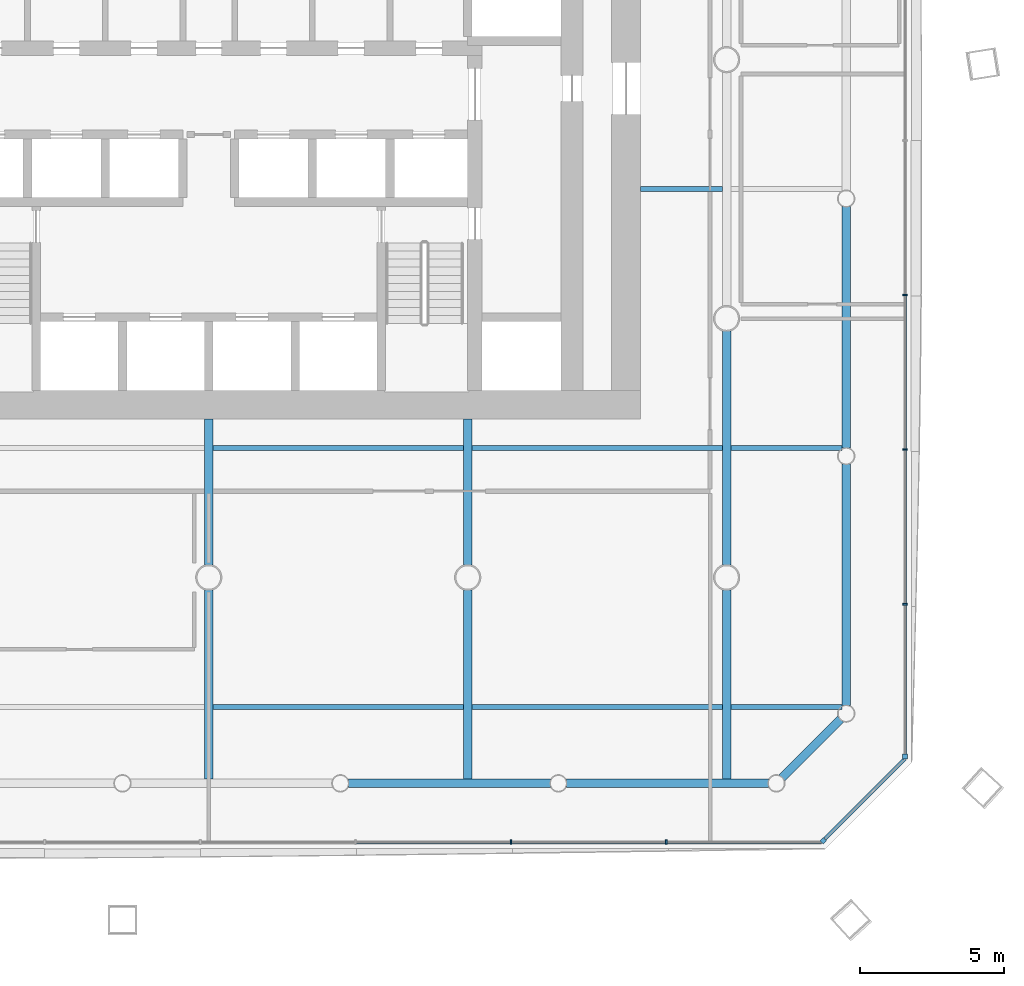
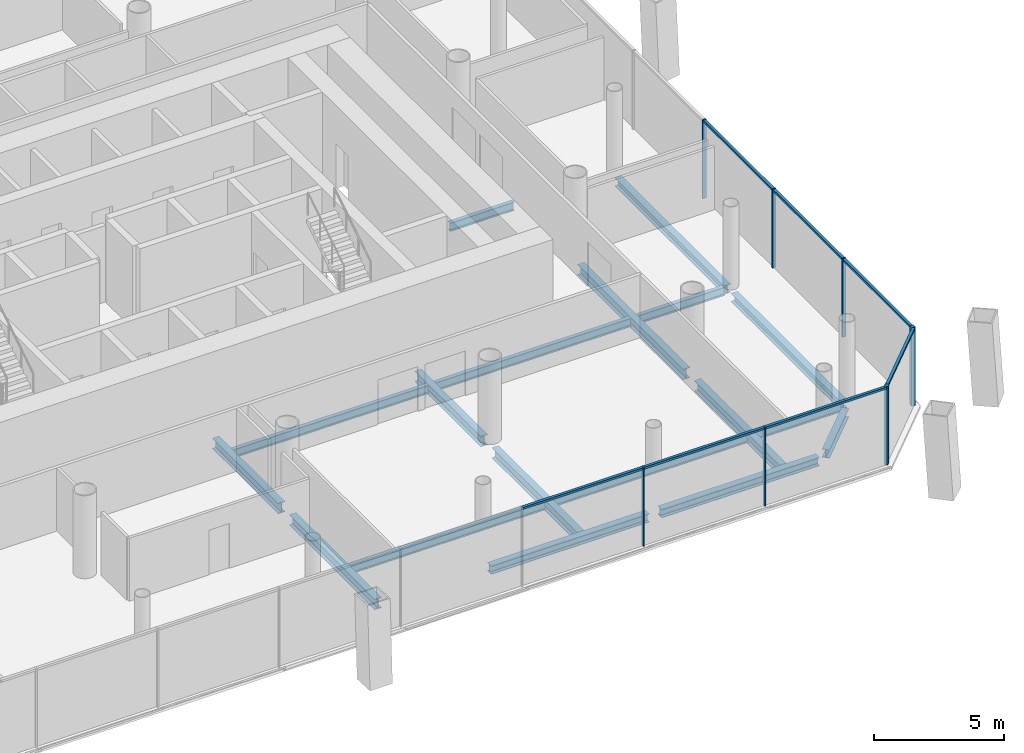
# One storey, part 6 of 22: 18 beams, 14 members, 3 elements without a shape of their own.
"""IFC4 building model written with IfcOpenShell, lengths in metres."""

from ifc_helpers import new_model, si_unit, direction, frame, origin, origin_2d, place, context, subcontext, project, spatial, rectangle, i_section, extrude, material, material_profile, profile_set, type_object, element, aggregate, save


model = new_model("IFC4")

# Units and contexts
model_context = context("Model", 3, precision=1e-05, world=origin(), true_north=direction((0.0, 1.0)))
body_context = subcontext(model_context, "Body", "Model", "MODEL_VIEW")
ifc_project = project(units=[si_unit("LENGTHUNIT", "METRE"), si_unit("AREAUNIT", "SQUARE_METRE"), si_unit("VOLUMEUNIT", "CUBIC_METRE"), si_unit("PLANEANGLEUNIT", "RADIAN"), si_unit("MASSUNIT", "GRAM", prefix="KILO")], contexts=[model_context])

# Site, building, storey
site_placement = place(None, origin())
site = spatial("IfcSite", under=ifc_project, at=site_placement, CompositionType="ELEMENT")
building_placement = place(site_placement, origin())
building = spatial("IfcBuilding", under=site, at=building_placement, Name="Tskaro Facet Tower", CompositionType="ELEMENT")
storey_placement = place(building_placement, frame((0.0, 0.0, 30.300048828125)))
storey = spatial("IfcBuildingStorey", under=building, at=storey_placement, Name="L06", CompositionType="ELEMENT", Elevation=30.300048828125)

# Curtain wall, member
ifc_material_1 = material(Name="Bronze anodised aluminium 6063-T6", Category="aluminium")
curtain_wall_type = type_object("IfcCurtainWallType", Name="Bronze office curtain wall (FW1)", PredefinedType="NOTDEFINED", material=ifc_material_1)
curtain_wall_1_placement = place(storey_placement, origin())
curtain_wall_1 = element("IfcCurtainWall", 1, at=curtain_wall_1_placement, inside=storey, type_object=curtain_wall_type, Name="FW1 south-east facet L06", PredefinedType="NOTDEFINED")
ifc_material_profile_1 = material_profile(ifc_material_1, rectangle(XDim=0.159912109375, YDim=0.159912109375, at=origin_2d()), Name="Corner post 160x160")
ifc_profile_set_1 = profile_set([ifc_material_profile_1], Name="Bronze anodised aluminium 6063-T6")
member_type_1 = type_object("IfcMemberType", Name="FW1 bronze corner post 160x160", PredefinedType="MULLION", material=ifc_profile_set_1)
member_1_placement = place(storey_placement, frame((21.361572265625, -27.1455078125, 0.0), z_axis=(0.0, 0.0, 1.0), x_axis=(0.707106781187, 0.707106781187, 0.0)))
member_1 = element("IfcMember", 2, at=member_1_placement, type_object=member_type_1, Name="FW1 south-east corner post", PredefinedType="MULLION", context=body_context, shape_type="SweptSolid", body=[
    extrude(rectangle(XDim=0.159912109375, YDim=0.159912109375, at=origin_2d()), origin(), (0.0, 0.0, 1.0), 3.699951171875),
])

curtain_wall_2_placement = place(storey_placement, origin())
curtain_wall_2 = element("IfcCurtainWall", 3, at=curtain_wall_2_placement, inside=storey, type_object=curtain_wall_type, Name="FW1 east facet L06", PredefinedType="NOTDEFINED")
member_2_placement = place(storey_placement, frame((24.201904296875, -24.22509765625, 0.0), z_axis=(0.0, 0.0, 1.0), x_axis=(0.0, 1.0, 0.0)))
member_2 = element("IfcMember", 4, at=member_2_placement, type_object=member_type_1, Name="FW1 east corner post", PredefinedType="MULLION", context=body_context, shape_type="SweptSolid", body=[
    extrude(rectangle(XDim=0.159912109375, YDim=0.159912109375, at=origin_2d()), origin(), (0.0, 0.0, 1.0), 3.699951171875),
])

# Curtain wall, members
curtain_wall_3_placement = place(storey_placement, origin())
curtain_wall_3 = element("IfcCurtainWall", 5, at=curtain_wall_3_placement, inside=storey, type_object=curtain_wall_type, Name="FW1 south facet L06", PredefinedType="NOTDEFINED")
ifc_material_profile_2 = material_profile(ifc_material_1, rectangle(XDim=0.06005859375, YDim=0.159912109375, at=origin_2d()), Name="Mullion 60x160")
ifc_profile_set_2 = profile_set([ifc_material_profile_2], Name="Bronze anodised aluminium 6063-T6")
member_type_2 = type_object("IfcMemberType", Name="FW1 bronze mullion 60x160", PredefinedType="MULLION", material=ifc_profile_set_2)
member_3_placement = place(storey_placement, frame((10.502685546875, -27.201904296875, 0.0), z_axis=(0.0, 0.0, 1.0), x_axis=(1.0, 0.0, 0.0)))
member_3 = element("IfcMember", 6, at=member_3_placement, type_object=member_type_2, Name="FW1 south mullion 7", PredefinedType="MULLION", context=body_context, shape_type="SweptSolid", body=[
    extrude(rectangle(XDim=0.06005859375, YDim=0.159912109375, at=origin_2d()), origin(), (0.0, 0.0, 1.0), 3.699951171875),
])
member_4_placement = place(storey_placement, frame((15.90380859375, -27.201904296875, 0.0), z_axis=(0.0, 0.0, 1.0), x_axis=(1.0, 0.0, 0.0)))
member_4 = element("IfcMember", 7, at=member_4_placement, type_object=member_type_2, Name="FW1 south mullion 8", PredefinedType="MULLION", context=body_context, shape_type="SweptSolid", body=[
    extrude(rectangle(XDim=0.06005859375, YDim=0.159912109375, at=origin_2d()), origin(), (0.0, 0.0, 1.0), 3.699951171875),
])

# Member
member_5_placement = place(storey_placement, frame((24.201904296875, -18.930419921875, 0.0), z_axis=(0.0, 0.0, 1.0), x_axis=(0.0, 1.0, 0.0)))
member_5 = element("IfcMember", 8, at=member_5_placement, type_object=member_type_2, Name="FW1 east mullion 1", PredefinedType="MULLION", context=body_context, shape_type="SweptSolid", body=[
    extrude(rectangle(XDim=0.06005859375, YDim=0.159912109375, at=origin_2d()), origin(), (0.0, 0.0, 1.0), 3.699951171875),
])

member_6_placement = place(storey_placement, frame((24.201904296875, -13.555908203125, 0.0), z_axis=(0.0, 0.0, 1.0), x_axis=(0.0, 1.0, 0.0)))
member_6 = element("IfcMember", 9, at=member_6_placement, type_object=member_type_2, Name="FW1 east mullion 2", PredefinedType="MULLION", context=body_context, shape_type="SweptSolid", body=[
    extrude(rectangle(XDim=0.06005859375, YDim=0.159912109375, at=origin_2d()), origin(), (0.0, 0.0, 1.0), 3.699951171875),
])

member_7_placement = place(storey_placement, frame((24.201904296875, -8.181396484375, 0.0), z_axis=(0.0, 0.0, 1.0), x_axis=(0.0, 1.0, 0.0)))
member_7 = element("IfcMember", 10, at=member_7_placement, type_object=member_type_2, Name="FW1 east mullion 3", PredefinedType="MULLION", context=body_context, shape_type="SweptSolid", body=[
    extrude(rectangle(XDim=0.06005859375, YDim=0.159912109375, at=origin_2d()), origin(), (0.0, 0.0, 1.0), 3.699951171875),
])

ifc_material_profile_3 = material_profile(ifc_material_1, rectangle(XDim=0.1201171875, YDim=0.10009765625, at=origin_2d()), Name="Transom 120x100")
ifc_profile_set_3 = profile_set([ifc_material_profile_3], Name="Bronze anodised aluminium 6063-T6")
member_type_3 = type_object("IfcMemberType", Name="FW1 bronze transom 120x100", PredefinedType="USERDEFINED", material=ifc_profile_set_3)
member_8_placement = place(storey_placement, frame((5.131591796875, -27.201904296875, 3.64990234375), z_axis=(1.0, 0.0, 0.0), x_axis=(0.0, 1.0, 0.0)))
member_8 = element("IfcMember", 11, at=member_8_placement, type_object=member_type_3, Name="FW1 south transom 7.1", ObjectType="TRANSOM", PredefinedType="USERDEFINED", context=body_context, shape_type="SweptSolid", body=[
    extrude(rectangle(XDim=0.1201171875, YDim=0.10009765625, at=origin_2d()), origin(), (0.0, 0.0, 1.0), 5.341064453125),
])

member_9_placement = place(storey_placement, frame((10.53271484375, -27.201904296875, 3.64990234375), z_axis=(1.0, 0.0, 0.0), x_axis=(0.0, 1.0, 0.0)))
member_9 = element("IfcMember", 12, at=member_9_placement, type_object=member_type_3, Name="FW1 south transom 8.1", ObjectType="TRANSOM", PredefinedType="USERDEFINED", context=body_context, shape_type="SweptSolid", body=[
    extrude(rectangle(XDim=0.1201171875, YDim=0.10009765625, at=origin_2d()), origin(), (0.0, 0.0, 1.0), 5.341064453125),
])

member_10_placement = place(storey_placement, frame((15.933837890625, -27.201904296875, 3.64990234375), z_axis=(1.0, 0.0, 0.0), x_axis=(0.0, 1.0, 0.0)))
member_10 = element("IfcMember", 13, at=member_10_placement, type_object=member_type_3, Name="FW1 south transom 9.1", ObjectType="TRANSOM", PredefinedType="USERDEFINED", context=body_context, shape_type="SweptSolid", body=[
    extrude(rectangle(XDim=0.1201171875, YDim=0.10009765625, at=origin_2d()), origin(), (0.0, 0.0, 1.0), 5.37109375),
])

aggregate(curtain_wall_3, [member_3, member_4, member_8, member_9, member_10])

member_11_placement = place(storey_placement, frame((21.418212890625, -27.0888671875, 3.64990234375), z_axis=(0.707075773851, 0.707137787162, 0.0), x_axis=(-0.707137787162, 0.707075773851, 0.0)))
member_11 = element("IfcMember", 14, at=member_11_placement, type_object=member_type_3, Name="FW1 south-east transom 1.1", ObjectType="TRANSOM", PredefinedType="USERDEFINED", context=body_context, shape_type="SweptSolid", body=[
    extrude(rectangle(XDim=0.1201171875, YDim=0.10009765625, at=origin_2d()), origin(), (0.0, 0.0, 1.0), 3.93701171875),
])

aggregate(curtain_wall_1, [member_1, member_11])

member_12_placement = place(storey_placement, frame((24.201904296875, -24.14501953125, 3.64990234375), z_axis=(0.0, 1.0, 0.0), x_axis=(-1.0, 0.0, 0.0)))
member_12 = element("IfcMember", 15, at=member_12_placement, type_object=member_type_3, Name="FW1 east transom 1.1", ObjectType="TRANSOM", PredefinedType="USERDEFINED", context=body_context, shape_type="SweptSolid", body=[
    extrude(rectangle(XDim=0.1201171875, YDim=0.10009765625, at=origin_2d()), origin(), (0.0, 0.0, 1.0), 5.1845703125),
])

member_13_placement = place(storey_placement, frame((24.201904296875, -18.900390625, 3.64990234375), z_axis=(0.0, 1.0, 0.0), x_axis=(-1.0, 0.0, 0.0)))
member_13 = element("IfcMember", 16, at=member_13_placement, type_object=member_type_3, Name="FW1 east transom 2.1", ObjectType="TRANSOM", PredefinedType="USERDEFINED", context=body_context, shape_type="SweptSolid", body=[
    extrude(rectangle(XDim=0.1201171875, YDim=0.10009765625, at=origin_2d()), origin(), (0.0, 0.0, 1.0), 5.314453125),
])

member_14_placement = place(storey_placement, frame((24.201904296875, -13.52587890625, 3.64990234375), z_axis=(0.0, 1.0, 0.0), x_axis=(-1.0, 0.0, 0.0)))
member_14 = element("IfcMember", 17, at=member_14_placement, type_object=member_type_3, Name="FW1 east transom 3.1", ObjectType="TRANSOM", PredefinedType="USERDEFINED", context=body_context, shape_type="SweptSolid", body=[
    extrude(rectangle(XDim=0.1201171875, YDim=0.10009765625, at=origin_2d()), origin(), (0.0, 0.0, 1.0), 5.314453125),
])

aggregate(curtain_wall_2, [member_2, member_5, member_6, member_7, member_12, member_13, member_14])

# Beams
ifc_material_2 = material(Name="Steel S355J2", Category="steel")
ifc_material_profile_4 = material_profile(ifc_material_2, i_section(OverallWidth=0.300048828125, OverallDepth=0.39990234375, WebThickness=0.013427734375, FlangeThickness=0.02392578125, FilletRadius=0.027099609375, at=origin_2d()), Name="HE 400 B")
ifc_profile_set_4 = profile_set([ifc_material_profile_4], Name="Steel S355J2")
beam_type_1 = type_object("IfcBeamType", Name="HE 400 B ring beam", PredefinedType="BEAM", material=ifc_profile_set_4)
beam_1_placement = place(storey_placement, frame((4.85107421875, -25.156982421875, -0.340087890625), z_axis=(1.0, 0.0, 0.0), x_axis=(0.0, 1.0, 0.0)))
element("IfcBeam", 18, at=beam_1_placement, inside=storey, type_object=beam_type_1, Name="HE 400 B EB5-1", PredefinedType="BEAM", context=body_context, shape_type="SweptSolid", body=[
    extrude(i_section(OverallWidth=0.300048828125, OverallDepth=0.39990234375, WebThickness=0.013427734375, FlangeThickness=0.02392578125, FilletRadius=0.027099609375, at=origin_2d()), origin(), (0.0, 0.0, 1.0), 7.02685546875),
])
beam_2_placement = place(storey_placement, frame((12.427978515625, -25.156982421875, -0.340087890625), z_axis=(1.0, 0.0, 0.0), x_axis=(0.0, 1.0, 0.0)))
element("IfcBeam", 19, at=beam_2_placement, inside=storey, type_object=beam_type_1, Name="HE 400 B EB6-1", PredefinedType="BEAM", context=body_context, shape_type="SweptSolid", body=[
    extrude(i_section(OverallWidth=0.300048828125, OverallDepth=0.39990234375, WebThickness=0.013427734375, FlangeThickness=0.02392578125, FilletRadius=0.027099609375, at=origin_2d()), origin(), (0.0, 0.0, 1.0), 7.026123046875),
])
beam_3_placement = place(storey_placement, frame((19.92333984375, -24.962646484375, -0.340087890625), z_axis=(0.707106781187, 0.707106781187, 0.0), x_axis=(-0.707106781187, 0.707106781187, 0.0)))
element("IfcBeam", 20, at=beam_3_placement, inside=storey, type_object=beam_type_1, Name="HE 400 B EB7-1", PredefinedType="BEAM", context=body_context, shape_type="SweptSolid", body=[
    extrude(i_section(OverallWidth=0.300048828125, OverallDepth=0.39990234375, WebThickness=0.013427734375, FlangeThickness=0.02392578125, FilletRadius=0.027099609375, at=origin_2d()), origin(), (0.0, 0.0, 1.0), 2.884033203125),
])
for number, where, z_axis, x_axis, name in (
    (21, (22.156982421875, -22.4541015625, -0.340087890625), (0.0, 1.0, 0.0), (-1.0, 0.0, 0.0), "HE 400 B EB8-1"),
    (22, (22.156982421875, -13.506103515625, -0.340087890625), (0.0, 1.0, 0.0), (-1.0, 0.0, 0.0), "HE 400 B EB9-1"),
):
    element("IfcBeam", number, at=place(storey_placement, frame(where, z_axis=z_axis, x_axis=x_axis)), inside=storey, type_object=beam_type_1, Name=name, PredefinedType="BEAM", context=body_context, shape_type="SweptSolid", body=[
        extrude(i_section(OverallWidth=0.300048828125, OverallDepth=0.39990234375, WebThickness=0.013427734375, FlangeThickness=0.02392578125, FilletRadius=0.027099609375, at=origin_2d()), origin(), (0.0, 0.0, 1.0), 8.398193359375),
    ])
ifc_material_profile_5 = material_profile(ifc_material_2, i_section(OverallWidth=0.300048828125, OverallDepth=0.489990234375, WebThickness=0.011962890625, FlangeThickness=0.02294921875, FilletRadius=0.027099609375, at=origin_2d()), Name="HE 500 A")
ifc_profile_set_5 = profile_set([ifc_material_profile_5], Name="Steel S355J2")
beam_type_2 = type_object("IfcBeamType", Name="HE 500 A girder", PredefinedType="BEAM", material=ifc_profile_set_5)
beam_4_placement = place(storey_placement, frame((0.0, -25.007080078125, -0.385009765625), z_axis=(0.0, 1.0, 0.0), x_axis=(-1.0, 0.0, 0.0)))
element("IfcBeam", 23, at=beam_4_placement, inside=storey, type_object=beam_type_2, Name="HE 500 A GB4-1-1", PredefinedType="BEAM", context=body_context, shape_type="SweptSolid", body=[
    extrude(i_section(OverallWidth=0.300048828125, OverallDepth=0.489990234375, WebThickness=0.011962890625, FlangeThickness=0.02294921875, FilletRadius=0.027099609375, at=origin_2d()), origin(), (0.0, 0.0, 1.0), 6.579833984375),
])
beam_5_placement = place(storey_placement, frame((0.0, -17.57275390625, -0.385009765625), z_axis=(0.0, 1.0, 0.0), x_axis=(-1.0, 0.0, 0.0)))
element("IfcBeam", 24, at=beam_5_placement, inside=storey, type_object=beam_type_2, Name="HE 500 A GB4-2-1", PredefinedType="BEAM", context=body_context, shape_type="SweptSolid", body=[
    extrude(i_section(OverallWidth=0.300048828125, OverallDepth=0.489990234375, WebThickness=0.011962890625, FlangeThickness=0.02294921875, FilletRadius=0.027099609375, at=origin_2d()), origin(), (0.0, 0.0, 1.0), 5.07275390625),
])
beam_6_placement = place(storey_placement, frame((9.0, -25.007080078125, -0.385009765625), z_axis=(0.0, 1.0, 0.0), x_axis=(-1.0, 0.0, 0.0)))
element("IfcBeam", 25, at=beam_6_placement, inside=storey, type_object=beam_type_2, Name="HE 500 A GB5-1-1", PredefinedType="BEAM", context=body_context, shape_type="SweptSolid", body=[
    extrude(i_section(OverallWidth=0.300048828125, OverallDepth=0.489990234375, WebThickness=0.011962890625, FlangeThickness=0.02294921875, FilletRadius=0.027099609375, at=origin_2d()), origin(), (0.0, 0.0, 1.0), 6.579833984375),
])
beam_7_placement = place(storey_placement, frame((9.0, -17.57275390625, -0.385009765625), z_axis=(0.0, 1.0, 0.0), x_axis=(-1.0, 0.0, 0.0)))
element("IfcBeam", 26, at=beam_7_placement, inside=storey, type_object=beam_type_2, Name="HE 500 A GB5-2-1", PredefinedType="BEAM", context=body_context, shape_type="SweptSolid", body=[
    extrude(i_section(OverallWidth=0.300048828125, OverallDepth=0.489990234375, WebThickness=0.011962890625, FlangeThickness=0.02294921875, FilletRadius=0.027099609375, at=origin_2d()), origin(), (0.0, 0.0, 1.0), 5.07275390625),
])
beam_8_placement = place(storey_placement, frame((18.0, -25.007080078125, -0.385009765625), z_axis=(0.0, 1.0, 0.0), x_axis=(-1.0, 0.0, 0.0)))
element("IfcBeam", 27, at=beam_8_placement, inside=storey, type_object=beam_type_2, Name="HE 500 A GB6-1-1", PredefinedType="BEAM", context=body_context, shape_type="SweptSolid", body=[
    extrude(i_section(OverallWidth=0.300048828125, OverallDepth=0.489990234375, WebThickness=0.011962890625, FlangeThickness=0.02294921875, FilletRadius=0.027099609375, at=origin_2d()), origin(), (0.0, 0.0, 1.0), 6.579833984375),
])
beam_9_placement = place(storey_placement, frame((18.0, -17.57275390625, -0.385009765625), z_axis=(0.0, 1.0, 0.0), x_axis=(-1.0, 0.0, 0.0)))
element("IfcBeam", 28, at=beam_9_placement, inside=storey, type_object=beam_type_2, Name="HE 500 A GB6-2-1", PredefinedType="BEAM", context=body_context, shape_type="SweptSolid", body=[
    extrude(i_section(OverallWidth=0.300048828125, OverallDepth=0.489990234375, WebThickness=0.011962890625, FlangeThickness=0.02294921875, FilletRadius=0.027099609375, at=origin_2d()), origin(), (0.0, 0.0, 1.0), 8.1455078125),
])
ifc_material_profile_6 = material_profile(ifc_material_2, i_section(OverallWidth=0.179931640625, OverallDepth=0.39990234375, WebThickness=0.008544921875, FlangeThickness=0.013427734375, FilletRadius=0.02099609375, at=origin_2d()), Name="IPE 400")
ifc_profile_set_6 = profile_set([ifc_material_profile_6], Name="Steel S355J2")
beam_type_3 = type_object("IfcBeamType", Name="IPE 400 secondary beam", PredefinedType="BEAM", material=ifc_profile_set_6)
for number, where, z_axis, x_axis, name in (
    (29, (0.14990234375, -22.5, -0.340087890625), (1.0, 0.0, 0.0), (0.0, 1.0, 0.0), "IPE 400 SB1a-4-1"),
    (30, (9.14990234375, -22.5, -0.340087890625), (1.0, 0.0, 0.0), (0.0, 1.0, 0.0), "IPE 400 SB1a-5-1"),
):
    element("IfcBeam", number, at=place(storey_placement, frame(where, z_axis=z_axis, x_axis=x_axis)), inside=storey, type_object=beam_type_3, Name=name, PredefinedType="BEAM", context=body_context, shape_type="SweptSolid", body=[
        extrude(i_section(OverallWidth=0.179931640625, OverallDepth=0.39990234375, WebThickness=0.008544921875, FlangeThickness=0.013427734375, FilletRadius=0.02099609375, at=origin_2d()), origin(), (0.0, 0.0, 1.0), 8.7001953125),
    ])
beam_10_placement = place(storey_placement, frame((18.14990234375, -22.5, -0.340087890625), z_axis=(1.0, 0.0, 0.0), x_axis=(0.0, 1.0, 0.0)))
element("IfcBeam", 31, at=beam_10_placement, inside=storey, type_object=beam_type_3, Name="IPE 400 SB1a-6-1", PredefinedType="BEAM", context=body_context, shape_type="SweptSolid", body=[
    extrude(i_section(OverallWidth=0.179931640625, OverallDepth=0.39990234375, WebThickness=0.008544921875, FlangeThickness=0.013427734375, FilletRadius=0.02099609375, at=origin_2d()), origin(), (0.0, 0.0, 1.0), 3.857177734375),
])
for number, where, z_axis, x_axis, name in (
    (32, (0.14990234375, -13.5, -0.340087890625), (1.0, 0.0, 0.0), (0.0, 1.0, 0.0), "IPE 400 SB2a-4-1"),
    (33, (9.14990234375, -13.5, -0.340087890625), (1.0, 0.0, 0.0), (0.0, 1.0, 0.0), "IPE 400 SB2a-5-1"),
):
    element("IfcBeam", number, at=place(storey_placement, frame(where, z_axis=z_axis, x_axis=x_axis)), inside=storey, type_object=beam_type_3, Name=name, PredefinedType="BEAM", context=body_context, shape_type="SweptSolid", body=[
        extrude(i_section(OverallWidth=0.179931640625, OverallDepth=0.39990234375, WebThickness=0.008544921875, FlangeThickness=0.013427734375, FilletRadius=0.02099609375, at=origin_2d()), origin(), (0.0, 0.0, 1.0), 8.7001953125),
    ])
beam_11_placement = place(storey_placement, frame((18.14990234375, -13.5, -0.340087890625), z_axis=(1.0, 0.0, 0.0), x_axis=(0.0, 1.0, 0.0)))
element("IfcBeam", 34, at=beam_11_placement, inside=storey, type_object=beam_type_3, Name="IPE 400 SB2a-6-1", PredefinedType="BEAM", context=body_context, shape_type="SweptSolid", body=[
    extrude(i_section(OverallWidth=0.179931640625, OverallDepth=0.39990234375, WebThickness=0.008544921875, FlangeThickness=0.013427734375, FilletRadius=0.02099609375, at=origin_2d()), origin(), (0.0, 0.0, 1.0), 3.857177734375),
])
beam_12_placement = place(storey_placement, frame((15.0, -4.5, -0.340087890625), z_axis=(1.0, 0.0, 0.0), x_axis=(0.0, 1.0, 0.0)))
element("IfcBeam", 35, at=beam_12_placement, inside=storey, type_object=beam_type_3, Name="IPE 400 SB3a-3-1", PredefinedType="BEAM", context=body_context, shape_type="SweptSolid", body=[
    extrude(i_section(OverallWidth=0.179931640625, OverallDepth=0.39990234375, WebThickness=0.008544921875, FlangeThickness=0.013427734375, FilletRadius=0.02099609375, at=origin_2d()), origin(), (0.0, 0.0, 1.0), 2.85009765625),
])

save(model, "model.ifc")
